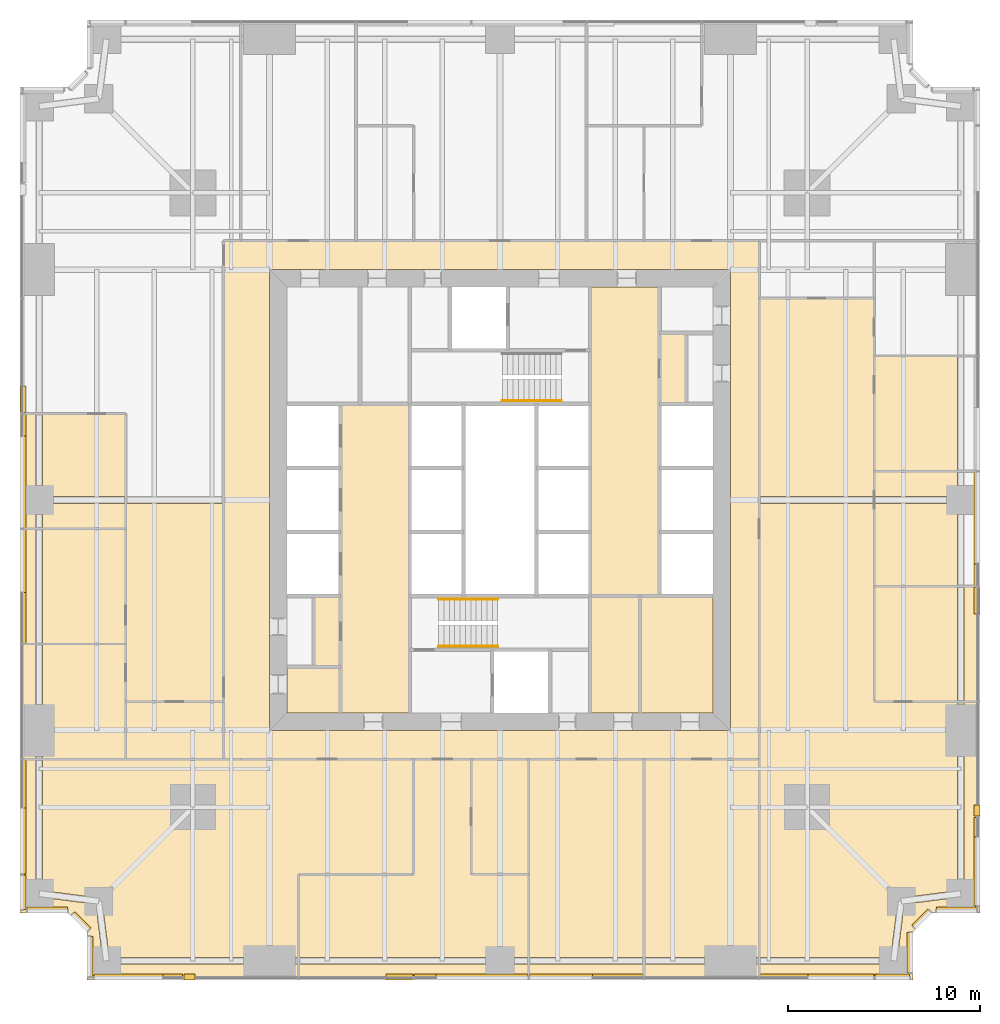
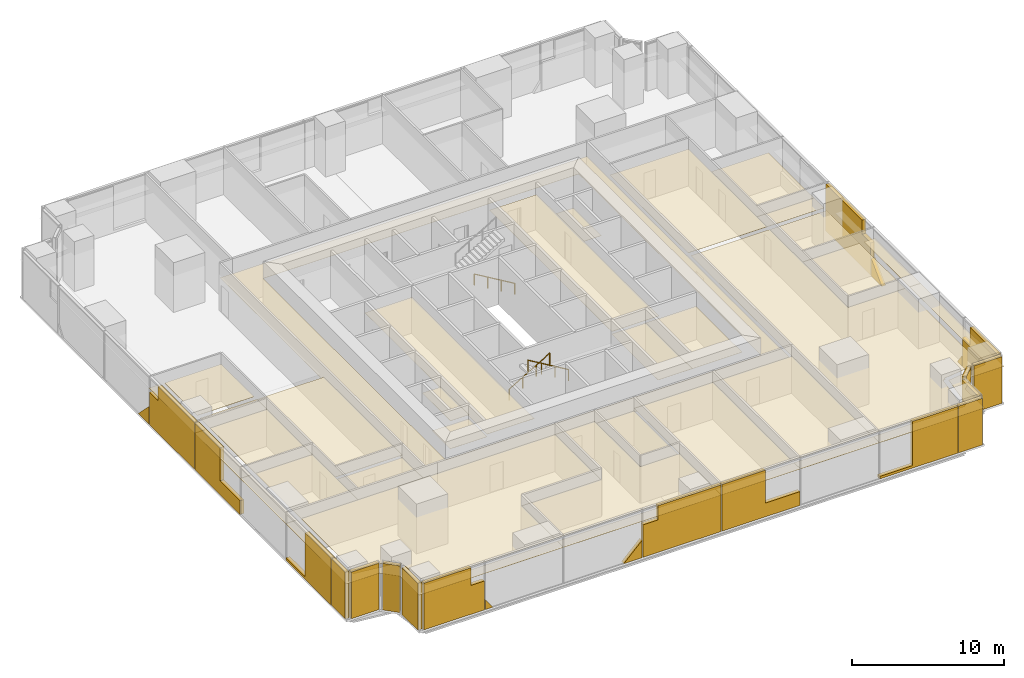
# One storey, part 12 of 13: 56 coverings, 3 railings.
"""IFC4 building model written with IfcOpenShell, lengths in metres."""

import ifcopenshell
import ifcopenshell.guid

model = None  # the IFC model being written
_history = None  # IfcOwnerHistory: only IFC2X3 demands one
_inside = {}  # id of a spatial element -> (the spatial element, [elements in it])
_under = {}  # id of a project, library or spatial element -> (it, [spatial elements below it])
_declared = {}  # id of a project -> (the project, [libraries it declares])
_typed = {}  # id of a type object -> (the type object, [elements of that type])
_made_of = {}  # id of a material, layer set ... -> (it, [elements and type objects made of it])


def new_model(schema):
    """Start an empty IFC model of exactly this schema.

    Asked for "IFC4X3", IfcOpenShell would pick the latest addendum, in which some entities
    have other attributes; the version numbers below select the first issue.
    IFC2X3 requires an IfcOwnerHistory on every rooted entity: one is made here for all.
    """
    global model, _history
    if schema == "IFC4X3":
        model = ifcopenshell.file(schema_version=(4, 3, 0, 0))
    else:
        model = ifcopenshell.file(schema=schema)
    _inside.clear()
    _under.clear()
    _declared.clear()
    _typed.clear()
    _made_of.clear()
    _history = None
    if model.schema == "IFC2X3":
        org = make("IfcOrganization", Name="unknown")
        user = make(
            "IfcPersonAndOrganization",
            ThePerson=make("IfcPerson", FamilyName="unknown"),
            TheOrganization=org,
        )
        app = make(
            "IfcApplication",
            ApplicationDeveloper=org,
            Version="unknown",
            ApplicationFullName="unknown",
            ApplicationIdentifier="unknown",
        )
        _history = make(
            "IfcOwnerHistory",
            OwningUser=user,
            OwningApplication=app,
            ChangeAction="ADDED",
            CreationDate=0,
        )
    return model


def make(cls, **values):
    """One entity of the class cls with the attributes given. An attribute that is None is left unset."""
    return model.create_entity(
        cls, **{name: value for name, value in values.items() if value is not None}
    )


def rooted(cls, **values):
    """An entity with a GlobalId (a new one), such as an element, a storey or a relation."""
    return make(cls, GlobalId=ifcopenshell.guid.new(), OwnerHistory=_history, **values)


def si_unit(unit_type, name, prefix=None):
    """IfcSIUnit, for example si_unit("LENGTHUNIT", "METRE", prefix="MILLI")."""
    return make("IfcSIUnit", UnitType=unit_type, Prefix=prefix, Name=name)


def assignment(units):
    """IfcUnitAssignment: the units of a project."""
    return None if units is None else make("IfcUnitAssignment", Units=units)


def point(xyz):
    """IfcCartesianPoint."""
    return None if xyz is None else make("IfcCartesianPoint", Coordinates=xyz)


def direction(xyz):
    """IfcDirection."""
    return None if xyz is None else make("IfcDirection", DirectionRatios=xyz)


def frame(location, z_axis=None, x_axis=None):
    """IfcAxis2Placement3D, a coordinate frame: its origin and axes. An axis left out is left unset."""
    return make(
        "IfcAxis2Placement3D",
        Location=point(location),
        Axis=direction(z_axis),
        RefDirection=direction(x_axis),
    )


def frame_2d(location, x_axis=None):
    """IfcAxis2Placement2D, a coordinate frame in the plane: its origin and x axis."""
    return make(
        "IfcAxis2Placement2D", Location=point(location), RefDirection=direction(x_axis)
    )


def origin():
    """The frame at (0, 0, 0) with its axes left unset."""
    return frame((0.0, 0.0, 0.0))


def origin_2d():
    """The frame at (0, 0) in the plane with its x axis left unset."""
    return frame_2d((0.0, 0.0))


def place(relative_to, where):
    """IfcLocalPlacement: puts the frame where relative to a parent placement (None: the world)."""
    return make(
        "IfcLocalPlacement", PlacementRelTo=relative_to, RelativePlacement=where
    )


def context(
    kind, dimensions, precision=None, world=None, true_north=None, identifier=None
):
    """IfcGeometricRepresentationContext, for example the 3D "Model" context."""
    return make(
        "IfcGeometricRepresentationContext",
        ContextIdentifier=identifier,
        ContextType=kind,
        CoordinateSpaceDimension=dimensions,
        Precision=precision,
        WorldCoordinateSystem=world,
        TrueNorth=true_north,
    )


def subcontext(parent, identifier, kind, view, scale=None):
    """IfcGeometricRepresentationSubContext, for example "Body" below "Model"."""
    return make(
        "IfcGeometricRepresentationSubContext",
        ContextIdentifier=identifier,
        ContextType=kind,
        ParentContext=parent,
        TargetScale=scale,
        TargetView=view,
    )


def project(units=None, contexts=None):
    """IfcProject with its units and contexts."""
    return rooted(
        "IfcProject",
        Name="project",
        RepresentationContexts=contexts,
        UnitsInContext=assignment(units),
    )


def spatial(cls, under=None, at=None, **own):
    """A site, building, storey or space (cls), placed at a placement, below another one or the project."""
    s = rooted(cls, ObjectPlacement=at, **own)
    if under is not None:
        _under.setdefault(under.id(), (under, []))[1].append(s)
    return s


def polyline(points):
    """IfcPolyline through the points."""
    return make("IfcPolyline", Points=[point(p) for p in points])


def profile(cls, at=None, kind="AREA", **sizes):
    """A parametric profile (cls). Its sizes go by their IFC names, for example OverallWidth=200.0."""
    return make(cls, ProfileType=kind, Position=at, **sizes)


def circle(**sizes):
    """IfcCircleProfileDef."""
    return profile("IfcCircleProfileDef", **sizes)


def outline(outer, holes=None, kind="AREA"):
    """IfcArbitraryClosedProfileDef: a profile drawn as a closed curve; with holes, ...WithVoids."""
    if holes is None:
        return make("IfcArbitraryClosedProfileDef", ProfileType=kind, OuterCurve=outer)
    return make(
        "IfcArbitraryProfileDefWithVoids",
        ProfileType=kind,
        OuterCurve=outer,
        InnerCurves=holes,
    )


def extrude(swept, where, along, depth):
    """IfcExtrudedAreaSolid: the profile swept, set in the frame where, extruded along a direction by depth."""
    return make(
        "IfcExtrudedAreaSolid",
        SweptArea=swept,
        Position=where,
        ExtrudedDirection=direction(along),
        Depth=depth,
    )


def shape(context_of_items, identifier, shape_type, items):
    """IfcShapeRepresentation: the items that make up one representation, for example the "Body"."""
    return make(
        "IfcShapeRepresentation",
        ContextOfItems=context_of_items,
        RepresentationIdentifier=identifier,
        RepresentationType=shape_type,
        Items=items,
    )


def material(Name=None, Category=None):
    """IfcMaterial."""
    return make("IfcMaterial", Name=Name, Category=Category)


def layer(
    of_material, thickness, ventilated=None, Name=None, Category=None, Priority=None
):
    """IfcMaterialLayer: one layer of a wall or slab, of a material (None: an air gap)."""
    return make(
        "IfcMaterialLayer",
        Material=of_material,
        LayerThickness=thickness,
        IsVentilated=ventilated,
        Name=Name,
        Category=Category,
        Priority=Priority,
    )


def layer_set(layers, Name=None):
    """IfcMaterialLayerSet."""
    return make("IfcMaterialLayerSet", MaterialLayers=layers, LayerSetName=Name)


def made_of(thing, what):
    """Note that an element or type object is made of a material, layer set ...; save() writes the relation."""
    if what is not None:
        _made_of.setdefault(what.id(), (what, []))[1].append(thing)
    return thing


def type_object(cls, material=None, **own):
    """A type object (cls), such as IfcWallType, which elements share."""
    return made_of(rooted(cls, **own), material)


def element(
    cls,
    number,
    at=None,
    inside=None,
    cuts=None,
    type_object=None,
    material=None,
    context=None,
    identifier="Body",
    shape_type=None,
    held_by="IfcProductDefinitionShape",
    body=None,
    shapes=None,
    **own,
):
    """One element of the class cls, such as IfcWall. Its Tag is "e" and its number.

    at: its placement. inside: the storey or other place that contains it. cuts: it is an
    opening in that element (IfcRelVoidsElement). A single representation is given by context,
    identifier, shape_type and body (its items); several are given by shapes. held_by: the class
    of the entity that holds the representations. save() writes the other relations.
    """
    e = rooted(cls, Tag="e%d" % number, ObjectPlacement=at, **own)
    if body is not None:
        shapes = [shape(context, identifier, shape_type, body)]
    if shapes is not None:
        e.Representation = make(held_by, Representations=shapes)
    if inside is not None:
        _inside.setdefault(inside.id(), (inside, []))[1].append(e)
    if cuts is not None:
        rooted(
            "IfcRelVoidsElement", RelatingBuildingElement=cuts, RelatedOpeningElement=e
        )
    if type_object is not None:
        _typed.setdefault(type_object.id(), (type_object, []))[1].append(e)
    return made_of(e, material)


def aggregate(whole, parts):
    """IfcRelAggregates: a whole, such as a stair, and the parts it consists of."""
    return rooted("IfcRelAggregates", RelatingObject=whole, RelatedObjects=parts)


def save(model, path):
    """Write the relations noted so far, then the file.

    IfcRelAggregates (storeys below a building ...), IfcRelContainedInSpatialStructure (elements
    in a storey), IfcRelDefinesByType, IfcRelAssociatesMaterial and IfcRelDeclares: one each for
    every whole, place, type object, material and project.
    """
    for whole, parts in _under.values():
        aggregate(whole, parts)
    for where, things in _inside.values():
        rooted(
            "IfcRelContainedInSpatialStructure",
            RelatedElements=things,
            RelatingStructure=where,
        )
    for kind, things in _typed.values():
        rooted("IfcRelDefinesByType", RelatedObjects=things, RelatingType=kind)
    for what, things in _made_of.values():
        rooted("IfcRelAssociatesMaterial", RelatedObjects=things, RelatingMaterial=what)
    for by, libraries in _declared.values():
        rooted("IfcRelDeclares", RelatingContext=by, RelatedDefinitions=libraries)
    model.write(path)


model = new_model("IFC4")

# Units and contexts
model_context = context("Model", 3, precision=1e-05, world=origin(), true_north=direction((0.0, 1.0)))
body_context = subcontext(model_context, "Body", "Model", "MODEL_VIEW")
ifc_project = project(units=[si_unit("LENGTHUNIT", "METRE"), si_unit("AREAUNIT", "SQUARE_METRE"), si_unit("VOLUMEUNIT", "CUBIC_METRE"), si_unit("PLANEANGLEUNIT", "RADIAN"), si_unit("MASSUNIT", "GRAM", prefix="KILO")], contexts=[model_context])

# Site, building, storey
site_placement = place(None, origin())
site = spatial("IfcSite", under=ifc_project, at=site_placement, CompositionType="ELEMENT")
building_placement = place(site_placement, origin())
building = spatial("IfcBuilding", under=site, at=building_placement, Name="Fenwick Lantern Interchange", CompositionType="ELEMENT")
storey_placement = place(building_placement, frame((0.0, 0.0, 39.0)))
storey = spatial("IfcBuildingStorey", under=building, at=storey_placement, Name="L08", CompositionType="ELEMENT", Elevation=39.0)

# Coverings
ifc_material_1 = material(Name="Mineral fibre acoustic tile on suspended grid")
ifc_layer_1 = layer(ifc_material_1, 0.02001953125)
ifc_layer_set_1 = layer_set([ifc_layer_1], Name="ACOUSTIC TILE CEILING 20")
covering_type_1 = type_object("IfcCoveringType", Name="ACOUSTIC TILE CEILING 20", PredefinedType="CEILING", material=ifc_layer_set_1)
covering_1_placement = place(storey_placement, frame((0.0, 0.0, 2.89990234375)))
element("IfcCovering", 1, at=covering_1_placement, inside=storey, type_object=covering_type_1, Name="Office supplies store ceiling", PredefinedType="CEILING", context=body_context, shape_type="SweptSolid", body=[
    extrude(outline(polyline([(15.300048828125, 16.300048828125), (16.699951171875, 16.300048828125), (16.699951171875, 20.0), (15.300048828125, 20.0), (15.300048828125, 16.300048828125)])), origin(), (0.0, 0.0, 1.0), 0.02001953125),
])
covering_2_placement = place(storey_placement, frame((0.0, 0.0, 2.89990234375)))
element("IfcCovering", 2, at=covering_2_placement, inside=storey, type_object=covering_type_1, Name="Office suite ceiling", PredefinedType="CEILING", context=body_context, shape_type="SweptSolid", body=[
    extrude(outline(polyline([(20.5, 11.5), (1.17236328125, 11.5), (1.17236328125, 4.651611328125), (4.1220703125, 4.27099609375), (4.10009765625, 4.10009765625), (4.27099609375, 4.1220703125), (4.651611328125, 1.17236328125), (13.0, 1.17236328125), (14.5, 1.17236328125), (14.5, 5.5), (20.5, 5.5), (20.5, 11.5)])), origin(), (0.0, 0.0, 1.0), 0.02001953125),
])
covering_3_placement = place(storey_placement, frame((0.0, 0.0, 2.89990234375)))
element("IfcCovering", 3, at=covering_3_placement, inside=storey, type_object=covering_type_1, Name="Office suite ceiling", PredefinedType="CEILING", context=body_context, shape_type="SweptSolid", body=[
    extrude(outline(polyline([(2.5, 3.5), (3.5, 2.5), (3.5, 0.0), (14.5, 0.0), (14.5, 0.82763671875), (13.0, 0.82763671875), (4.5, 0.82763671875), (4.5, 1.0), (4.3291015625, 0.97802734375), (3.946044921875, 3.946044921875), (0.97802734375, 4.3291015625), (1.0, 4.5), (0.82763671875, 4.5), (0.82763671875, 11.5), (0.0, 11.5), (0.0, 3.5), (2.5, 3.5)])), origin(), (0.0, 0.0, 1.0), 0.02001953125),
])
covering_4_placement = place(storey_placement, frame((0.0, 0.0, 2.89990234375)))
element("IfcCovering", 4, at=covering_4_placement, inside=storey, type_object=covering_type_1, Name="Office suite ceiling", PredefinedType="CEILING", context=body_context, shape_type="SweptSolid", body=[
    extrude(outline(polyline([(14.5, 5.5), (14.5, 1.17236328125), (25.0, 1.17236328125), (26.5, 1.17236328125), (26.5, 5.5), (23.5, 5.5), (23.5, 11.5), (20.5, 11.5), (20.5, 5.5), (14.5, 5.5)])), origin(), (0.0, 0.0, 1.0), 0.02001953125),
])
covering_5_placement = place(storey_placement, frame((0.0, 0.0, 2.89990234375)))
element("IfcCovering", 5, at=covering_5_placement, inside=storey, type_object=covering_type_1, Name="Office suite ceiling", PredefinedType="CEILING", context=body_context, shape_type="SweptSolid", body=[
    extrude(outline(polyline([(14.5, 0.82763671875), (14.5, 0.0), (26.5, 0.0), (26.5, 0.82763671875), (25.0, 0.82763671875), (14.5, 0.82763671875)])), origin(), (0.0, 0.0, 1.0), 0.02001953125),
])
covering_6_placement = place(storey_placement, frame((0.0, 0.0, 2.699951171875)))
element("IfcCovering", 6, at=covering_6_placement, inside=storey, type_object=covering_type_1, Name="Quiet room ceiling", PredefinedType="CEILING", context=body_context, shape_type="SweptSolid", body=[
    extrude(outline(polyline([(23.5, 5.5), (26.5, 5.5), (26.5, 11.5), (23.5, 11.5), (23.5, 5.5)])), origin(), (0.0, 0.0, 1.0), 0.02001953125),
])
covering_7_placement = place(storey_placement, frame((0.0, 0.0, 2.89990234375)))
element("IfcCovering", 7, at=covering_7_placement, inside=storey, type_object=covering_type_1, Name="Office suite ceiling", PredefinedType="CEILING", context=body_context, shape_type="SweptSolid", body=[
    extrude(outline(polyline([(26.5, 11.5), (26.5, 1.17236328125), (32.5, 1.17236328125), (32.5, 11.5), (26.5, 11.5)])), origin(), (0.0, 0.0, 1.0), 0.02001953125),
])
covering_8_placement = place(storey_placement, frame((0.0, 0.0, 2.89990234375)))
element("IfcCovering", 8, at=covering_8_placement, inside=storey, type_object=covering_type_1, Name="Office suite ceiling", PredefinedType="CEILING", context=body_context, shape_type="SweptSolid", body=[
    extrude(outline(polyline([(26.5, 0.0), (32.5, 0.0), (32.5, 0.82763671875), (26.5, 0.82763671875), (26.5, 0.0)])), origin(), (0.0, 0.0, 1.0), 0.02001953125),
])
covering_9_placement = place(storey_placement, frame((0.0, 0.0, 2.89990234375)))
element("IfcCovering", 9, at=covering_9_placement, inside=storey, type_object=covering_type_1, Name="Office suite ceiling", PredefinedType="CEILING", context=body_context, shape_type="SweptSolid", body=[
    extrude(outline(polyline([(32.5, 11.5), (32.5, 1.17236328125), (37.0, 1.17236328125), (38.5, 1.17236328125), (38.5, 11.5), (32.5, 11.5)])), origin(), (0.0, 0.0, 1.0), 0.02001953125),
])
covering_10_placement = place(storey_placement, frame((0.0, 0.0, 2.89990234375)))
element("IfcCovering", 10, at=covering_10_placement, inside=storey, type_object=covering_type_1, Name="Office suite ceiling", PredefinedType="CEILING", context=body_context, shape_type="SweptSolid", body=[
    extrude(outline(polyline([(32.5, 0.0), (38.5, 0.0), (38.5, 0.82763671875), (37.0, 0.82763671875), (32.5, 0.82763671875), (32.5, 0.0)])), origin(), (0.0, 0.0, 1.0), 0.02001953125),
])
covering_11_placement = place(storey_placement, frame((0.0, 0.0, 2.89990234375)))
element("IfcCovering", 11, at=covering_11_placement, inside=storey, type_object=covering_type_1, Name="Office suite ceiling", PredefinedType="CEILING", context=body_context, shape_type="SweptSolid", body=[
    extrude(outline(polyline([(38.5, 24.824951171875), (38.5, 1.17236328125), (45.348388671875, 1.17236328125), (45.72900390625, 4.1220703125), (45.89990234375, 4.10009765625), (45.8779296875, 4.27099609375), (48.82763671875, 4.651611328125), (48.82763671875, 13.0), (48.82763671875, 14.5), (44.5, 14.5), (44.5, 24.824951171875), (38.5, 24.824951171875)])), origin(), (0.0, 0.0, 1.0), 0.02001953125),
])
covering_12_placement = place(storey_placement, frame((0.0, 0.0, 2.89990234375)))
element("IfcCovering", 12, at=covering_12_placement, inside=storey, type_object=covering_type_1, Name="Office suite ceiling", PredefinedType="CEILING", context=body_context, shape_type="SweptSolid", body=[
    extrude(outline(polyline([(38.5, 35.5), (38.5, 25.175048828125), (44.5, 25.175048828125), (44.5, 35.5), (38.5, 35.5)])), origin(), (0.0, 0.0, 1.0), 0.02001953125),
])
covering_13_placement = place(storey_placement, frame((0.0, 0.0, 2.89990234375)))
element("IfcCovering", 13, at=covering_13_placement, inside=storey, type_object=covering_type_1, Name="Office suite ceiling", PredefinedType="CEILING", context=body_context, shape_type="SweptSolid", body=[
    extrude(outline(polyline([(38.5, 0.0), (46.5, 0.0), (46.5, 2.5), (47.5, 3.5), (50.0, 3.5), (50.0, 14.5), (49.17236328125, 14.5), (49.17236328125, 13.0), (49.17236328125, 4.5), (49.0, 4.5), (49.02197265625, 4.3291015625), (46.053955078125, 3.946044921875), (45.6708984375, 0.97802734375), (45.5, 1.0), (45.5, 0.82763671875), (38.5, 0.82763671875), (38.5, 0.0)])), origin(), (0.0, 0.0, 1.0), 0.02001953125),
])
covering_14_placement = place(storey_placement, frame((0.0, 0.0, 2.89990234375)))
element("IfcCovering", 14, at=covering_14_placement, inside=storey, type_object=covering_type_1, Name="Office ceiling", PredefinedType="CEILING", context=body_context, shape_type="SweptSolid", body=[
    extrude(outline(polyline([(44.5, 14.5), (48.82763671875, 14.5), (48.82763671875, 20.5), (44.5, 20.5), (44.5, 14.5)])), origin(), (0.0, 0.0, 1.0), 0.02001953125),
])
covering_15_placement = place(storey_placement, frame((0.0, 0.0, 2.89990234375)))
element("IfcCovering", 15, at=covering_15_placement, inside=storey, type_object=covering_type_1, Name="Office ceiling", PredefinedType="CEILING", context=body_context, shape_type="SweptSolid", body=[
    extrude(outline(polyline([(50.0, 20.5), (49.17236328125, 20.5), (49.17236328125, 14.5), (50.0, 14.5), (50.0, 20.5)])), origin(), (0.0, 0.0, 1.0), 0.02001953125),
])
covering_16_placement = place(storey_placement, frame((0.0, 0.0, 2.89990234375)))
element("IfcCovering", 16, at=covering_16_placement, inside=storey, type_object=covering_type_1, Name="Office ceiling", PredefinedType="CEILING", context=body_context, shape_type="SweptSolid", body=[
    extrude(outline(polyline([(44.5, 20.5), (48.82763671875, 20.5), (48.82763671875, 24.824951171875), (44.5, 24.824951171875), (44.5, 20.5)])), origin(), (0.0, 0.0, 1.0), 0.02001953125),
])
covering_17_placement = place(storey_placement, frame((0.0, 0.0, 2.89990234375)))
element("IfcCovering", 17, at=covering_17_placement, inside=storey, type_object=covering_type_1, Name="Office ceiling", PredefinedType="CEILING", context=body_context, shape_type="SweptSolid", body=[
    extrude(outline(polyline([(44.5, 26.5), (44.5, 25.175048828125), (48.82763671875, 25.175048828125), (48.82763671875, 26.5), (44.5, 26.5)])), origin(), (0.0, 0.0, 1.0), 0.02001953125),
])
covering_18_placement = place(storey_placement, frame((0.0, 0.0, 2.89990234375)))
element("IfcCovering", 18, at=covering_18_placement, inside=storey, type_object=covering_type_1, Name="Office ceiling", PredefinedType="CEILING", context=body_context, shape_type="SweptSolid", body=[
    extrude(outline(polyline([(44.5, 26.5), (48.82763671875, 26.5), (48.82763671875, 32.5), (44.5, 32.5), (44.5, 26.5)])), origin(), (0.0, 0.0, 1.0), 0.02001953125),
])
covering_19_placement = place(storey_placement, frame((0.0, 0.0, 2.89990234375)))
element("IfcCovering", 19, at=covering_19_placement, inside=storey, type_object=covering_type_1, Name="Office suite ceiling", PredefinedType="CEILING", context=body_context, shape_type="SweptSolid", body=[
    extrude(outline(polyline([(10.60009765625, 14.5), (10.60009765625, 24.824951171875), (5.5, 24.824951171875), (5.5, 14.5), (10.60009765625, 14.5)])), origin(), (0.0, 0.0, 1.0), 0.02001953125),
])
covering_20_placement = place(storey_placement, frame((0.0, 0.0, 2.89990234375)))
element("IfcCovering", 20, at=covering_20_placement, inside=storey, type_object=covering_type_1, Name="Office ceiling", PredefinedType="CEILING", context=body_context, shape_type="SweptSolid", body=[
    extrude(outline(polyline([(5.5, 29.5), (1.17236328125, 29.5), (1.17236328125, 25.175048828125), (5.5, 25.175048828125), (5.5, 29.5)])), origin(), (0.0, 0.0, 1.0), 0.02001953125),
])
covering_21_placement = place(storey_placement, frame((0.0, 0.0, 2.89990234375)))
element("IfcCovering", 21, at=covering_21_placement, inside=storey, type_object=covering_type_1, Name="Office ceiling", PredefinedType="CEILING", context=body_context, shape_type="SweptSolid", body=[
    extrude(outline(polyline([(5.5, 23.5), (5.5, 24.824951171875), (1.17236328125, 24.824951171875), (1.17236328125, 23.5), (5.5, 23.5)])), origin(), (0.0, 0.0, 1.0), 0.02001953125),
])
covering_22_placement = place(storey_placement, frame((0.0, 0.0, 2.89990234375)))
element("IfcCovering", 22, at=covering_22_placement, inside=storey, type_object=covering_type_1, Name="Office ceiling", PredefinedType="CEILING", context=body_context, shape_type="SweptSolid", body=[
    extrude(outline(polyline([(0.0, 23.5), (0.82763671875, 23.5), (0.82763671875, 25.0), (0.82763671875, 29.5), (0.0, 29.5), (0.0, 23.5)])), origin(), (0.0, 0.0, 1.0), 0.02001953125),
])
covering_23_placement = place(storey_placement, frame((0.0, 0.0, 2.89990234375)))
element("IfcCovering", 23, at=covering_23_placement, inside=storey, type_object=covering_type_1, Name="Meeting room ceiling", PredefinedType="CEILING", context=body_context, shape_type="SweptSolid", body=[
    extrude(outline(polyline([(5.5, 23.5), (1.17236328125, 23.5), (1.17236328125, 17.5), (5.5, 17.5), (5.5, 23.5)])), origin(), (0.0, 0.0, 1.0), 0.02001953125),
])
covering_24_placement = place(storey_placement, frame((0.0, 0.0, 2.89990234375)))
element("IfcCovering", 24, at=covering_24_placement, inside=storey, type_object=covering_type_1, Name="Meeting room ceiling", PredefinedType="CEILING", context=body_context, shape_type="SweptSolid", body=[
    extrude(outline(polyline([(0.0, 17.5), (0.82763671875, 17.5), (0.82763671875, 23.5), (0.0, 23.5), (0.0, 17.5)])), origin(), (0.0, 0.0, 1.0), 0.02001953125),
])
covering_25_placement = place(storey_placement, frame((0.0, 0.0, 2.89990234375)))
element("IfcCovering", 25, at=covering_25_placement, inside=storey, type_object=covering_type_1, Name="Office ceiling", PredefinedType="CEILING", context=body_context, shape_type="SweptSolid", body=[
    extrude(outline(polyline([(5.5, 17.5), (1.17236328125, 17.5), (1.17236328125, 13.0), (1.17236328125, 11.5), (5.5, 11.5), (5.5, 17.5)])), origin(), (0.0, 0.0, 1.0), 0.02001953125),
])
covering_26_placement = place(storey_placement, frame((0.0, 0.0, 2.89990234375)))
element("IfcCovering", 26, at=covering_26_placement, inside=storey, type_object=covering_type_1, Name="Office ceiling", PredefinedType="CEILING", context=body_context, shape_type="SweptSolid", body=[
    extrude(outline(polyline([(0.0, 11.5), (0.82763671875, 11.5), (0.82763671875, 13.0), (0.82763671875, 17.5), (0.0, 17.5), (0.0, 11.5)])), origin(), (0.0, 0.0, 1.0), 0.02001953125),
])
ifc_material_2 = material(Name="Granite cladding, warm grey flamed finish, on aluminium carrier frame", Category="masonry")
ifc_layer_2 = layer(ifc_material_2, 0.300048828125)
ifc_layer_set_2 = layer_set([ifc_layer_2], Name="BRACE CASING PANEL 300")
covering_type_2 = type_object("IfcCoveringType", Name="BRACE CASING PANEL 300", PredefinedType="CLADDING", material=ifc_layer_set_2)
covering_27_placement = place(storey_placement, frame((3.60009765625, 0.10009765625, 0.0), z_axis=(0.0, 0.0, 1.0), x_axis=(1.0, 0.0, 0.0)))
element("IfcCovering", 27, at=covering_27_placement, inside=storey, type_object=covering_type_2, Name="Brace casing 01 bay 00a", PredefinedType="CLADDING", context=body_context, shape_type="SweptSolid", body=[
    extrude(outline(polyline([(0.264892578125, 0.0), (4.867431640625, 0.0), (4.867431640625, 2.32568359375), (3.860107421875, 2.32568359375), (3.860107421875, 3.75), (0.264892578125, 3.75), (0.264892578125, 0.0)])), frame((0.0, 0.2001953125, 0.0), z_axis=(0.0, -1.0, 0.0), x_axis=(1.0, 0.0, 0.0)), (0.0, 0.0, 1.0), 0.300048828125),
])
covering_28_placement = place(storey_placement, frame((3.60009765625, 0.10009765625, 0.0), z_axis=(0.0, 0.0, 1.0), x_axis=(1.0, 0.0, 0.0)))
element("IfcCovering", 28, at=covering_28_placement, inside=storey, type_object=covering_type_2, Name="Brace casing 01 bay 01a", PredefinedType="CLADDING", context=body_context, shape_type="SweptSolid", body=[
    extrude(outline(polyline([(4.9326171875, 0.0), (5.5048828125, 0.0), (4.9326171875, 0.809326171875), (4.9326171875, 0.0)])), frame((0.0, 0.2001953125, 0.0), z_axis=(0.0, -1.0, 0.0), x_axis=(1.0, 0.0, 0.0)), (0.0, 0.0, 1.0), 0.300048828125),
])
covering_29_placement = place(storey_placement, frame((3.60009765625, 0.10009765625, 0.0), z_axis=(0.0, 0.0, 1.0), x_axis=(1.0, 0.0, 0.0)))
element("IfcCovering", 29, at=covering_29_placement, inside=storey, type_object=covering_type_2, Name="Brace casing 01 bay 02a", PredefinedType="CLADDING", context=body_context, shape_type="SweptSolid", body=[
    extrude(outline(polyline([(15.4677734375, 0.0), (16.867431640625, 0.0), (16.867431640625, 1.40185546875), (15.4677734375, 0.0)])), frame((0.0, 0.2001953125, 0.0), z_axis=(0.0, -1.0, 0.0), x_axis=(1.0, 0.0, 0.0)), (0.0, 0.0, 1.0), 0.300048828125),
])
covering_30_placement = place(storey_placement, frame((3.60009765625, 0.10009765625, 0.0), z_axis=(0.0, 0.0, 1.0), x_axis=(1.0, 0.0, 0.0)))
element("IfcCovering", 30, at=covering_30_placement, inside=storey, type_object=covering_type_2, Name="Brace casing 01 bay 03a", PredefinedType="CLADDING", context=body_context, shape_type="SweptSolid", body=[
    extrude(outline(polyline([(16.9326171875, 0.0), (22.867431640625, 0.0), (22.867431640625, 3.75), (18.072509765625, 3.75), (18.072509765625, 2.60888671875), (16.9326171875, 2.60888671875), (16.9326171875, 0.0)])), frame((0.0, 0.2001953125, 0.0), z_axis=(0.0, -1.0, 0.0), x_axis=(1.0, 0.0, 0.0)), (0.0, 0.0, 1.0), 0.300048828125),
])
covering_31_placement = place(storey_placement, frame((3.60009765625, 0.10009765625, 0.0), z_axis=(0.0, 0.0, 1.0), x_axis=(1.0, 0.0, 0.0)))
element("IfcCovering", 31, at=covering_31_placement, inside=storey, type_object=covering_type_2, Name="Brace casing 01 bay 04a", PredefinedType="CLADDING", context=body_context, shape_type="SweptSolid", body=[
    extrude(outline(polyline([(22.9326171875, 0.0), (28.867431640625, 0.0), (28.867431640625, 1.104248046875), (26.2294921875, 1.104248046875), (26.2294921875, 3.75), (22.9326171875, 3.75), (22.9326171875, 0.0)])), frame((0.0, 0.2001953125, 0.0), z_axis=(0.0, -1.0, 0.0), x_axis=(1.0, 0.0, 0.0)), (0.0, 0.0, 1.0), 0.300048828125),
])
covering_32_placement = place(storey_placement, frame((3.60009765625, 0.10009765625, 0.0), z_axis=(0.0, 0.0, 1.0), x_axis=(1.0, 0.0, 0.0)))
element("IfcCovering", 32, at=covering_32_placement, inside=storey, type_object=covering_type_2, Name="Brace casing 01 bay 06a", PredefinedType="CLADDING", context=body_context, shape_type="SweptSolid", body=[
    extrude(outline(polyline([(34.9326171875, 0.0), (40.867431640625, 0.0), (40.867431640625, 3.75), (37.4375, 3.75), (37.4375, 0.201416015625), (34.9326171875, 0.201416015625), (34.9326171875, 0.0)])), frame((0.0, 0.2001953125, 0.0), z_axis=(0.0, -1.0, 0.0), x_axis=(1.0, 0.0, 0.0)), (0.0, 0.0, 1.0), 0.300048828125),
])
covering_33_placement = place(storey_placement, frame((3.60009765625, 0.10009765625, 0.0), z_axis=(0.0, 0.0, 1.0), x_axis=(1.0, 0.0, 0.0)))
element("IfcCovering", 33, at=covering_33_placement, inside=storey, type_object=covering_type_2, Name="Brace casing 01 bay 07a", PredefinedType="CLADDING", context=body_context, shape_type="SweptSolid", body=[
    extrude(outline(polyline([(40.9326171875, 0.0), (42.735107421875, 0.0), (42.735107421875, 3.75), (40.9326171875, 3.75), (40.9326171875, 0.0)])), frame((0.0, 0.2001953125, 0.0), z_axis=(0.0, -1.0, 0.0), x_axis=(1.0, 0.0, 0.0)), (0.0, 0.0, 1.0), 0.300048828125),
])
covering_34_placement = place(storey_placement, frame((46.39990234375, 0.10009765625, 0.0), z_axis=(0.0, 0.0, 1.0), x_axis=(0.0, 1.0, 0.0)))
element("IfcCovering", 34, at=covering_34_placement, inside=storey, type_object=covering_type_2, Name="Brace casing 02 bay 00a", PredefinedType="CLADDING", context=body_context, shape_type="SweptSolid", body=[
    extrude(outline(polyline([(0.264892578125, 0.0), (2.37646484375, 0.0), (2.37646484375, 3.75), (0.264892578125, 3.75), (0.264892578125, 0.0)])), frame((0.0, 0.2001953125, 0.0), z_axis=(0.0, -1.0, 0.0), x_axis=(1.0, 0.0, 0.0)), (0.0, 0.0, 1.0), 0.300048828125),
])
covering_35_placement = place(storey_placement, frame((46.39990234375, 2.54150390625, 0.0), z_axis=(0.0, 0.0, 1.0), x_axis=(0.707106781187, 0.707106781187, 0.0)))
element("IfcCovering", 35, at=covering_35_placement, inside=storey, type_object=covering_type_2, Name="Brace casing 03 bay 00a", PredefinedType="CLADDING", context=body_context, shape_type="SweptSolid", body=[
    extrude(outline(polyline([(0.264892578125, 0.0), (1.43212890625, 0.0), (1.43212890625, 3.75), (0.264892578125, 3.75), (0.264892578125, 0.0)])), frame((0.0, 0.2001953125, 0.0), z_axis=(0.0, -1.0, 0.0), x_axis=(1.0, 0.0, 0.0)), (0.0, 0.0, 1.0), 0.300048828125),
])
covering_36_placement = place(storey_placement, frame((47.45849609375, 3.60009765625, 0.0), z_axis=(0.0, 0.0, 1.0), x_axis=(1.0, 0.0, 0.0)))
element("IfcCovering", 36, at=covering_36_placement, inside=storey, type_object=covering_type_2, Name="Brace casing 04 bay 00a", PredefinedType="CLADDING", context=body_context, shape_type="SweptSolid", body=[
    extrude(outline(polyline([(0.264892578125, 0.0), (2.37646484375, 0.0), (2.37646484375, 3.75), (0.264892578125, 3.75), (0.264892578125, 0.0)])), frame((0.0, 0.2001953125, 0.0), z_axis=(0.0, -1.0, 0.0), x_axis=(1.0, 0.0, 0.0)), (0.0, 0.0, 1.0), 0.300048828125),
])
covering_37_placement = place(storey_placement, frame((49.89990234375, 3.60009765625, 0.0), z_axis=(0.0, 0.0, 1.0), x_axis=(0.0, 1.0, 0.0)))
element("IfcCovering", 37, at=covering_37_placement, inside=storey, type_object=covering_type_2, Name="Brace casing 05 bay 00a", PredefinedType="CLADDING", context=body_context, shape_type="SweptSolid", body=[
    extrude(outline(polyline([(0.264892578125, 0.0), (4.867431640625, 0.0), (4.867431640625, 2.32568359375), (3.860107421875, 2.32568359375), (3.860107421875, 3.75), (0.264892578125, 3.75), (0.264892578125, 0.0)])), frame((0.0, 0.2001953125, 0.0), z_axis=(0.0, -1.0, 0.0), x_axis=(1.0, 0.0, 0.0)), (0.0, 0.0, 1.0), 0.300048828125),
])
covering_38_placement = place(storey_placement, frame((49.89990234375, 3.60009765625, 0.0), z_axis=(0.0, 0.0, 1.0), x_axis=(0.0, 1.0, 0.0)))
element("IfcCovering", 38, at=covering_38_placement, inside=storey, type_object=covering_type_2, Name="Brace casing 05 bay 01a", PredefinedType="CLADDING", context=body_context, shape_type="SweptSolid", body=[
    extrude(outline(polyline([(4.9326171875, 0.0), (5.5048828125, 0.0), (4.9326171875, 0.809326171875), (4.9326171875, 0.0)])), frame((0.0, 0.2001953125, 0.0), z_axis=(0.0, -1.0, 0.0), x_axis=(1.0, 0.0, 0.0)), (0.0, 0.0, 1.0), 0.300048828125),
])
covering_39_placement = place(storey_placement, frame((49.89990234375, 3.60009765625, 0.0), z_axis=(0.0, 0.0, 1.0), x_axis=(0.0, 1.0, 0.0)))
element("IfcCovering", 39, at=covering_39_placement, inside=storey, type_object=covering_type_2, Name="Brace casing 05 bay 02a", PredefinedType="CLADDING", context=body_context, shape_type="SweptSolid", body=[
    extrude(outline(polyline([(15.4677734375, 0.0), (16.867431640625, 0.0), (16.867431640625, 1.40185546875), (15.4677734375, 0.0)])), frame((0.0, 0.2001953125, 0.0), z_axis=(0.0, -1.0, 0.0), x_axis=(1.0, 0.0, 0.0)), (0.0, 0.0, 1.0), 0.300048828125),
])
covering_40_placement = place(storey_placement, frame((49.89990234375, 3.60009765625, 0.0), z_axis=(0.0, 0.0, 1.0), x_axis=(0.0, 1.0, 0.0)))
element("IfcCovering", 40, at=covering_40_placement, inside=storey, type_object=covering_type_2, Name="Brace casing 05 bay 03a", PredefinedType="CLADDING", context=body_context, shape_type="SweptSolid", body=[
    extrude(outline(polyline([(16.9326171875, 0.0), (22.867431640625, 0.0), (22.867431640625, 3.75), (18.072509765625, 3.75), (18.072509765625, 2.60888671875), (16.9326171875, 2.60888671875), (16.9326171875, 0.0)])), frame((0.0, 0.2001953125, 0.0), z_axis=(0.0, -1.0, 0.0), x_axis=(1.0, 0.0, 0.0)), (0.0, 0.0, 1.0), 0.300048828125),
])
covering_41_placement = place(storey_placement, frame((0.10009765625, 46.39990234375, 0.0), z_axis=(0.0, 0.0, 1.0), x_axis=(0.0, -1.0, 0.0)))
element("IfcCovering", 41, at=covering_41_placement, inside=storey, type_object=covering_type_2, Name="Brace casing 13 bay 02a", PredefinedType="CLADDING", context=body_context, shape_type="SweptSolid", body=[
    extrude(outline(polyline([(15.4677734375, 0.0), (16.867431640625, 0.0), (16.867431640625, 1.40185546875), (15.4677734375, 0.0)])), frame((0.0, 0.2001953125, 0.0), z_axis=(0.0, -1.0, 0.0), x_axis=(1.0, 0.0, 0.0)), (0.0, 0.0, 1.0), 0.300048828125),
])
covering_42_placement = place(storey_placement, frame((0.10009765625, 46.39990234375, 0.0), z_axis=(0.0, 0.0, 1.0), x_axis=(0.0, -1.0, 0.0)))
element("IfcCovering", 42, at=covering_42_placement, inside=storey, type_object=covering_type_2, Name="Brace casing 13 bay 03a", PredefinedType="CLADDING", context=body_context, shape_type="SweptSolid", body=[
    extrude(outline(polyline([(16.9326171875, 0.0), (22.867431640625, 0.0), (22.867431640625, 3.75), (18.072509765625, 3.75), (18.072509765625, 2.60888671875), (16.9326171875, 2.60888671875), (16.9326171875, 0.0)])), frame((0.0, 0.2001953125, 0.0), z_axis=(0.0, -1.0, 0.0), x_axis=(1.0, 0.0, 0.0)), (0.0, 0.0, 1.0), 0.300048828125),
])
covering_43_placement = place(storey_placement, frame((0.10009765625, 46.39990234375, 0.0), z_axis=(0.0, 0.0, 1.0), x_axis=(0.0, -1.0, 0.0)))
element("IfcCovering", 43, at=covering_43_placement, inside=storey, type_object=covering_type_2, Name="Brace casing 13 bay 04a", PredefinedType="CLADDING", context=body_context, shape_type="SweptSolid", body=[
    extrude(outline(polyline([(22.9326171875, 0.0), (28.867431640625, 0.0), (28.867431640625, 1.104248046875), (26.2294921875, 1.104248046875), (26.2294921875, 3.75), (22.9326171875, 3.75), (22.9326171875, 0.0)])), frame((0.0, 0.2001953125, 0.0), z_axis=(0.0, -1.0, 0.0), x_axis=(1.0, 0.0, 0.0)), (0.0, 0.0, 1.0), 0.300048828125),
])
covering_44_placement = place(storey_placement, frame((0.10009765625, 46.39990234375, 0.0), z_axis=(0.0, 0.0, 1.0), x_axis=(0.0, -1.0, 0.0)))
element("IfcCovering", 44, at=covering_44_placement, inside=storey, type_object=covering_type_2, Name="Brace casing 13 bay 06a", PredefinedType="CLADDING", context=body_context, shape_type="SweptSolid", body=[
    extrude(outline(polyline([(34.9326171875, 0.0), (40.867431640625, 0.0), (40.867431640625, 3.75), (37.4375, 3.75), (37.4375, 0.201416015625), (34.9326171875, 0.201416015625), (34.9326171875, 0.0)])), frame((0.0, 0.2001953125, 0.0), z_axis=(0.0, -1.0, 0.0), x_axis=(1.0, 0.0, 0.0)), (0.0, 0.0, 1.0), 0.300048828125),
])
covering_45_placement = place(storey_placement, frame((0.10009765625, 46.39990234375, 0.0), z_axis=(0.0, 0.0, 1.0), x_axis=(0.0, -1.0, 0.0)))
element("IfcCovering", 45, at=covering_45_placement, inside=storey, type_object=covering_type_2, Name="Brace casing 13 bay 07a", PredefinedType="CLADDING", context=body_context, shape_type="SweptSolid", body=[
    extrude(outline(polyline([(40.9326171875, 0.0), (42.735107421875, 0.0), (42.735107421875, 3.75), (40.9326171875, 3.75), (40.9326171875, 0.0)])), frame((0.0, 0.2001953125, 0.0), z_axis=(0.0, -1.0, 0.0), x_axis=(1.0, 0.0, 0.0)), (0.0, 0.0, 1.0), 0.300048828125),
])
covering_46_placement = place(storey_placement, frame((0.10009765625, 3.60009765625, 0.0), z_axis=(0.0, 0.0, 1.0), x_axis=(1.0, 0.0, 0.0)))
element("IfcCovering", 46, at=covering_46_placement, inside=storey, type_object=covering_type_2, Name="Brace casing 14 bay 00a", PredefinedType="CLADDING", context=body_context, shape_type="SweptSolid", body=[
    extrude(outline(polyline([(0.264892578125, 0.0), (2.37646484375, 0.0), (2.37646484375, 3.75), (0.264892578125, 3.75), (0.264892578125, 0.0)])), frame((0.0, 0.2001953125, 0.0), z_axis=(0.0, -1.0, 0.0), x_axis=(1.0, 0.0, 0.0)), (0.0, 0.0, 1.0), 0.300048828125),
])
covering_47_placement = place(storey_placement, frame((2.54150390625, 3.60009765625, 0.0), z_axis=(0.0, 0.0, 1.0), x_axis=(0.707106781187, -0.707106781187, 0.0)))
element("IfcCovering", 47, at=covering_47_placement, inside=storey, type_object=covering_type_2, Name="Brace casing 15 bay 00a", PredefinedType="CLADDING", context=body_context, shape_type="SweptSolid", body=[
    extrude(outline(polyline([(0.264892578125, 0.0), (1.43212890625, 0.0), (1.43212890625, 3.75), (0.264892578125, 3.75), (0.264892578125, 0.0)])), frame((0.0, 0.2001953125, 0.0), z_axis=(0.0, -1.0, 0.0), x_axis=(1.0, 0.0, 0.0)), (0.0, 0.0, 1.0), 0.300048828125),
])
covering_48_placement = place(storey_placement, frame((3.60009765625, 2.54150390625, 0.0), z_axis=(0.0, 0.0, 1.0), x_axis=(0.0, -1.0, 0.0)))
element("IfcCovering", 48, at=covering_48_placement, inside=storey, type_object=covering_type_2, Name="Brace casing 16 bay 00a", PredefinedType="CLADDING", context=body_context, shape_type="SweptSolid", body=[
    extrude(outline(polyline([(0.264892578125, 0.0), (2.37646484375, 0.0), (2.37646484375, 3.75), (0.264892578125, 3.75), (0.264892578125, 0.0)])), frame((0.0, 0.2001953125, 0.0), z_axis=(0.0, -1.0, 0.0), x_axis=(1.0, 0.0, 0.0)), (0.0, 0.0, 1.0), 0.300048828125),
])

# Railings
ifc_material_3 = material(Name="Stainless steel handrail", Category="steel")
railing_type = type_object("IfcRailingType", Name="HANDRAIL 900", PredefinedType="HANDRAIL", material=ifc_material_3)
railing_placement = place(storey_placement, frame((21.800048828125, 19.825927734375, 0.166748046875)))
element("IfcRailing", 49, at=railing_placement, inside=storey, type_object=railing_type, Name="L08/STAIR/ST1/HR1", PredefinedType="HANDRAIL", context=body_context, shape_type="SweptSolid", body=[
    extrude(circle(Radius=0.02392578125, at=origin_2d()), frame((0.0, 0.0, 0.8759765625), z_axis=(0.859290745958, 0.0, 0.51148745235), x_axis=(0.0, 1.0, 0.0)), (0.0, 0.0, 1.0), 3.584228515625),
    extrude(circle(Radius=0.02099609375, at=origin_2d()), origin(), (0.0, 0.0, 1.0), 0.851806640625),
    extrude(circle(Radius=0.02099609375, at=origin_2d()), frame((1.026611328125, 0.0, 0.611083984375)), (0.0, 0.0, 1.0), 0.851806640625),
    extrude(circle(Radius=0.02099609375, at=origin_2d()), frame((2.05322265625, 0.0, 1.22216796875)), (0.0, 0.0, 1.0), 0.851806640625),
    extrude(circle(Radius=0.02099609375, at=origin_2d()), frame((3.079833984375, 0.0, 1.833251953125)), (0.0, 0.0, 1.0), 0.851806640625),
])
for number, where, name in (
    (50, (24.8798828125, 17.3740234375, 2.166748046875), "L08/STAIR/ST1/HR2"),
    (51, (28.199951171875, 30.174072265625, 0.166748046875), "L08/STAIR/ST2/HR1"),
):
    element("IfcRailing", number, at=place(storey_placement, frame(where)), inside=storey, type_object=railing_type, Name=name, PredefinedType="HANDRAIL", context=body_context, shape_type="SweptSolid", body=[
        extrude(circle(Radius=0.02392578125, at=origin_2d()), frame((0.0, 0.0, 0.8759765625), z_axis=(-0.859290745958, 0.0, 0.51148745235), x_axis=(0.0, -1.0, 0.0)), (0.0, 0.0, 1.0), 3.584228515625),
        extrude(circle(Radius=0.02099609375, at=origin_2d()), origin(), (0.0, 0.0, 1.0), 0.851806640625),
        extrude(circle(Radius=0.02099609375, at=origin_2d()), frame((-1.026611328125, 0.0, 0.611083984375)), (0.0, 0.0, 1.0), 0.851806640625),
        extrude(circle(Radius=0.02099609375, at=origin_2d()), frame((-2.05322265625, 0.0, 1.22216796875)), (0.0, 0.0, 1.0), 0.851806640625),
        extrude(circle(Radius=0.02099609375, at=origin_2d()), frame((-3.079833984375, 0.0, 1.833251953125)), (0.0, 0.0, 1.0), 0.851806640625),
    ])

# Coverings
ifc_material_4 = material(Name="Moisture resistant gypsum board on suspended frame, painted")
ifc_layer_3 = layer(ifc_material_4, 0.014892578125)
ifc_layer_set_3 = layer_set([ifc_layer_3], Name="MOISTURE RESISTANT CEILING 15")
covering_type_3 = type_object("IfcCoveringType", Name="MOISTURE RESISTANT CEILING 15", PredefinedType="CEILING", material=ifc_layer_set_3)
covering_49_placement = place(storey_placement, frame((0.0, 0.0, 2.60009765625)))
element("IfcCovering", 52, at=covering_49_placement, inside=storey, type_object=covering_type_3, Name="Men's WC ceiling", PredefinedType="CEILING", context=body_context, shape_type="SweptSolid", body=[
    extrude(outline(polyline([(29.699951171875, 13.89990234375), (32.300048828125, 13.89990234375), (32.300048828125, 20.0), (29.699951171875, 20.0), (29.699951171875, 13.89990234375)])), origin(), (0.0, 0.0, 1.0), 0.014892578125),
])
covering_50_placement = place(storey_placement, frame((0.0, 0.0, 2.60009765625)))
element("IfcCovering", 53, at=covering_50_placement, inside=storey, type_object=covering_type_3, Name="Women's WC ceiling", PredefinedType="CEILING", context=body_context, shape_type="SweptSolid", body=[
    extrude(outline(polyline([(32.300048828125, 13.89990234375), (36.10009765625, 13.89990234375), (36.10009765625, 20.0), (32.300048828125, 20.0), (32.300048828125, 13.89990234375)])), origin(), (0.0, 0.0, 1.0), 0.014892578125),
])
covering_51_placement = place(storey_placement, frame((0.0, 0.0, 2.60009765625)))
element("IfcCovering", 54, at=covering_51_placement, inside=storey, type_object=covering_type_3, Name="Accessible WC ceiling", PredefinedType="CEILING", context=body_context, shape_type="SweptSolid", body=[
    extrude(outline(polyline([(13.89990234375, 13.89990234375), (16.699951171875, 13.89990234375), (16.699951171875, 16.300048828125), (13.89990234375, 16.300048828125), (13.89990234375, 13.89990234375)])), origin(), (0.0, 0.0, 1.0), 0.014892578125),
])
covering_52_placement = place(storey_placement, frame((0.0, 0.0, 2.699951171875)))
element("IfcCovering", 55, at=covering_52_placement, inside=storey, type_object=covering_type_3, Name="Pantry store ceiling", PredefinedType="CEILING", context=body_context, shape_type="SweptSolid", body=[
    extrude(outline(polyline([(34.699951171875, 33.699951171875), (33.300048828125, 33.699951171875), (33.300048828125, 30.0), (34.699951171875, 30.0), (34.699951171875, 33.699951171875)])), origin(), (0.0, 0.0, 1.0), 0.01513671875),
])
covering_53_placement = place(storey_placement, frame((0.0, 0.0, 2.699951171875)))
element("IfcCovering", 56, at=covering_53_placement, inside=storey, type_object=covering_type_3, Name="Pantry ceiling", PredefinedType="CEILING", context=body_context, shape_type="SweptSolid", body=[
    extrude(outline(polyline([(5.5, 14.5), (5.5, 11.5), (10.60009765625, 11.5), (10.60009765625, 14.5), (5.5, 14.5)])), origin(), (0.0, 0.0, 1.0), 0.01513671875),
])
ifc_material_5 = material(Name="Gypsum plasterboard on suspended frame, painted")
ifc_layer_4 = layer(ifc_material_5, 0.014892578125)
ifc_layer_set_4 = layer_set([ifc_layer_4], Name="PLASTERBOARD CEILING 15")
covering_type_4 = type_object("IfcCoveringType", Name="PLASTERBOARD CEILING 15", PredefinedType="CEILING", material=ifc_layer_set_4)
covering_54_placement = place(storey_placement, frame((0.0, 0.0, 2.800048828125)))
element("IfcCovering", 57, at=covering_54_placement, inside=storey, type_object=covering_type_4, Name="Lift lobby ceiling", PredefinedType="CEILING", context=body_context, shape_type="SweptSolid", body=[
    extrude(outline(polyline([(16.699951171875, 13.89990234375), (20.300048828125, 13.89990234375), (20.300048828125, 30.0), (16.699951171875, 30.0), (16.699951171875, 13.89990234375)])), origin(), (0.0, 0.0, 1.0), 0.014892578125),
])
covering_55_placement = place(storey_placement, frame((0.0, 0.0, 2.800048828125)))
element("IfcCovering", 58, at=covering_55_placement, inside=storey, type_object=covering_type_4, Name="Lift lobby ceiling", PredefinedType="CEILING", context=body_context, shape_type="SweptSolid", body=[
    extrude(outline(polyline([(33.300048828125, 36.10009765625), (29.699951171875, 36.10009765625), (29.699951171875, 20.0), (33.300048828125, 20.0), (33.300048828125, 36.10009765625)])), origin(), (0.0, 0.0, 1.0), 0.014892578125),
])
covering_56_placement = place(storey_placement, frame((0.0, 0.0, 2.60009765625)))
element("IfcCovering", 59, at=covering_56_placement, inside=storey, type_object=covering_type_4, Name="Corridor ceiling", PredefinedType="CEILING", context=body_context, shape_type="SweptSolid", body=[
    extrude(outline(polyline([(10.60009765625, 11.5), (38.5, 11.5), (38.5, 38.5), (10.60009765625, 38.5), (10.60009765625, 11.5)]), holes=[polyline([(37.0, 37.0), (37.0, 13.0), (13.0, 13.0), (13.0, 37.0), (37.0, 37.0)])]), origin(), (0.0, 0.0, 1.0), 0.014892578125),
])

save(model, "model.ifc")
